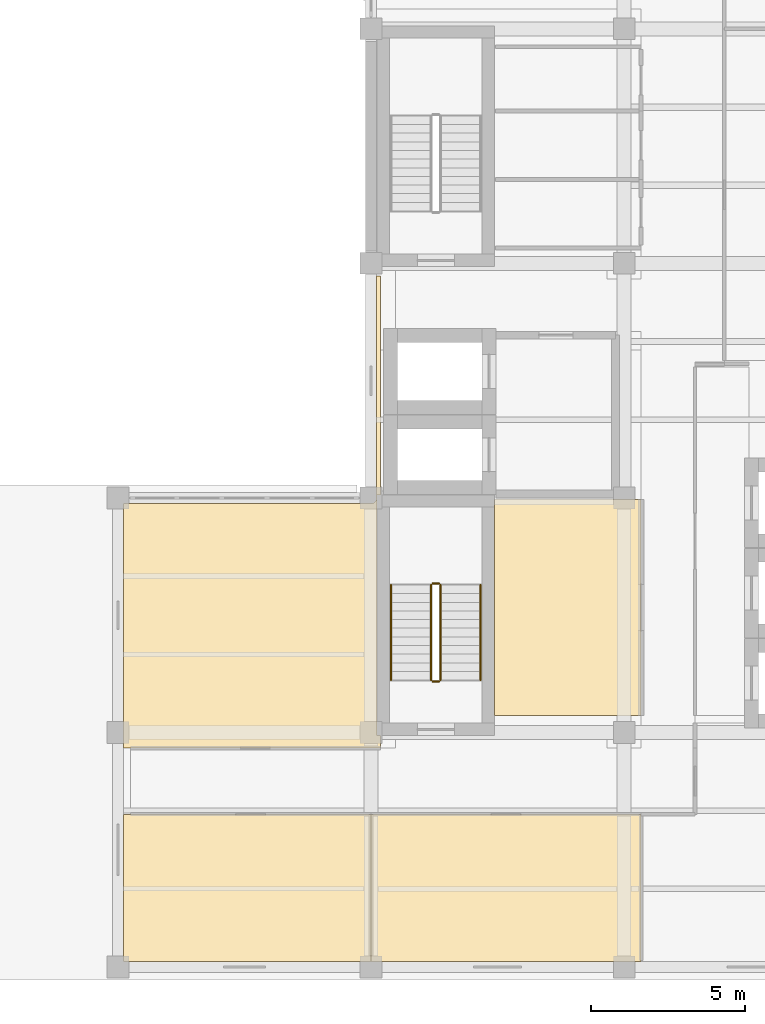
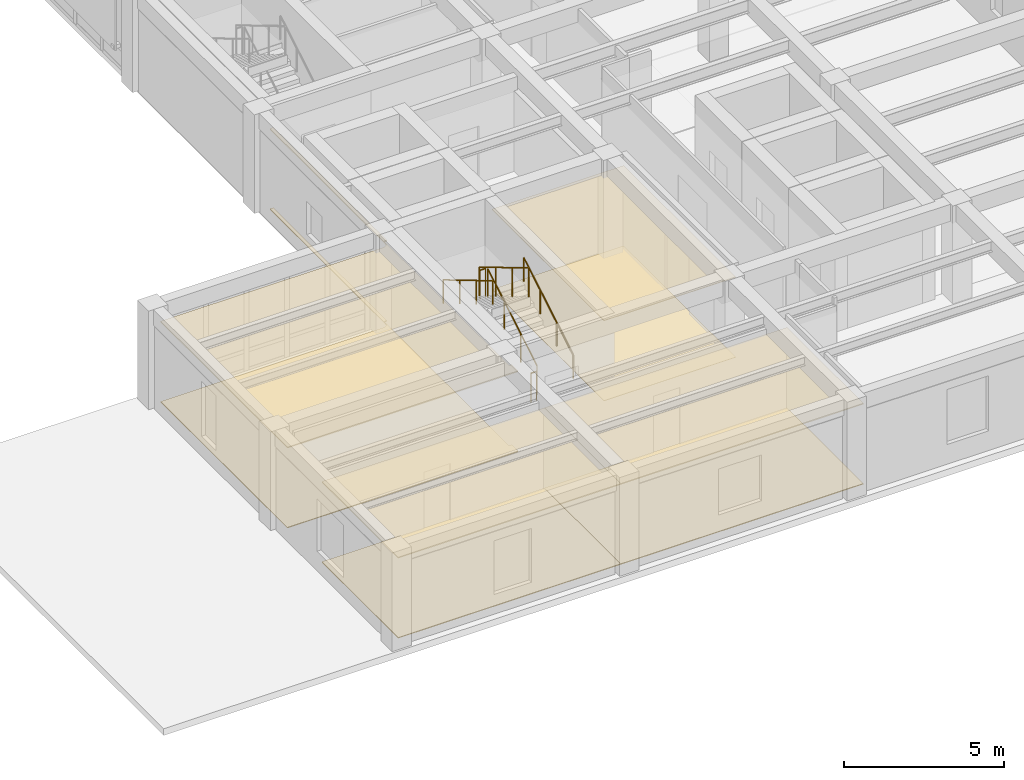
# One storey, part 9 of 11: 8 coverings, 6 railings.
"""IFC4 building model written with IfcOpenShell, lengths in metres."""

import ifcopenshell
import ifcopenshell.guid

model = None  # the IFC model being written
_history = None  # IfcOwnerHistory: only IFC2X3 demands one
_inside = {}  # id of a spatial element -> (the spatial element, [elements in it])
_under = {}  # id of a project, library or spatial element -> (it, [spatial elements below it])
_declared = {}  # id of a project -> (the project, [libraries it declares])
_typed = {}  # id of a type object -> (the type object, [elements of that type])
_made_of = {}  # id of a material, layer set ... -> (it, [elements and type objects made of it])


def new_model(schema):
    """Start an empty IFC model of exactly this schema.

    Asked for "IFC4X3", IfcOpenShell would pick the latest addendum, in which some entities
    have other attributes; the version numbers below select the first issue.
    IFC2X3 requires an IfcOwnerHistory on every rooted entity: one is made here for all.
    """
    global model, _history
    if schema == "IFC4X3":
        model = ifcopenshell.file(schema_version=(4, 3, 0, 0))
    else:
        model = ifcopenshell.file(schema=schema)
    _inside.clear()
    _under.clear()
    _declared.clear()
    _typed.clear()
    _made_of.clear()
    _history = None
    if model.schema == "IFC2X3":
        org = make("IfcOrganization", Name="unknown")
        user = make(
            "IfcPersonAndOrganization",
            ThePerson=make("IfcPerson", FamilyName="unknown"),
            TheOrganization=org,
        )
        app = make(
            "IfcApplication",
            ApplicationDeveloper=org,
            Version="unknown",
            ApplicationFullName="unknown",
            ApplicationIdentifier="unknown",
        )
        _history = make(
            "IfcOwnerHistory",
            OwningUser=user,
            OwningApplication=app,
            ChangeAction="ADDED",
            CreationDate=0,
        )
    return model


def make(cls, **values):
    """One entity of the class cls with the attributes given. An attribute that is None is left unset."""
    return model.create_entity(
        cls, **{name: value for name, value in values.items() if value is not None}
    )


def rooted(cls, **values):
    """An entity with a GlobalId (a new one), such as an element, a storey or a relation."""
    return make(cls, GlobalId=ifcopenshell.guid.new(), OwnerHistory=_history, **values)


def si_unit(unit_type, name, prefix=None):
    """IfcSIUnit, for example si_unit("LENGTHUNIT", "METRE", prefix="MILLI")."""
    return make("IfcSIUnit", UnitType=unit_type, Prefix=prefix, Name=name)


def assignment(units):
    """IfcUnitAssignment: the units of a project."""
    return None if units is None else make("IfcUnitAssignment", Units=units)


def point(xyz):
    """IfcCartesianPoint."""
    return None if xyz is None else make("IfcCartesianPoint", Coordinates=xyz)


def direction(xyz):
    """IfcDirection."""
    return None if xyz is None else make("IfcDirection", DirectionRatios=xyz)


def frame(location, z_axis=None, x_axis=None):
    """IfcAxis2Placement3D, a coordinate frame: its origin and axes. An axis left out is left unset."""
    return make(
        "IfcAxis2Placement3D",
        Location=point(location),
        Axis=direction(z_axis),
        RefDirection=direction(x_axis),
    )


def frame_2d(location, x_axis=None):
    """IfcAxis2Placement2D, a coordinate frame in the plane: its origin and x axis."""
    return make(
        "IfcAxis2Placement2D", Location=point(location), RefDirection=direction(x_axis)
    )


def origin():
    """The frame at (0, 0, 0) with its axes left unset."""
    return frame((0.0, 0.0, 0.0))


def origin_2d():
    """The frame at (0, 0) in the plane with its x axis left unset."""
    return frame_2d((0.0, 0.0))


def place(relative_to, where):
    """IfcLocalPlacement: puts the frame where relative to a parent placement (None: the world)."""
    return make(
        "IfcLocalPlacement", PlacementRelTo=relative_to, RelativePlacement=where
    )


def context(
    kind, dimensions, precision=None, world=None, true_north=None, identifier=None
):
    """IfcGeometricRepresentationContext, for example the 3D "Model" context."""
    return make(
        "IfcGeometricRepresentationContext",
        ContextIdentifier=identifier,
        ContextType=kind,
        CoordinateSpaceDimension=dimensions,
        Precision=precision,
        WorldCoordinateSystem=world,
        TrueNorth=true_north,
    )


def subcontext(parent, identifier, kind, view, scale=None):
    """IfcGeometricRepresentationSubContext, for example "Body" below "Model"."""
    return make(
        "IfcGeometricRepresentationSubContext",
        ContextIdentifier=identifier,
        ContextType=kind,
        ParentContext=parent,
        TargetScale=scale,
        TargetView=view,
    )


def project(units=None, contexts=None):
    """IfcProject with its units and contexts."""
    return rooted(
        "IfcProject",
        Name="project",
        RepresentationContexts=contexts,
        UnitsInContext=assignment(units),
    )


def spatial(cls, under=None, at=None, **own):
    """A site, building, storey or space (cls), placed at a placement, below another one or the project."""
    s = rooted(cls, ObjectPlacement=at, **own)
    if under is not None:
        _under.setdefault(under.id(), (under, []))[1].append(s)
    return s


def polyline(points):
    """IfcPolyline through the points."""
    return make("IfcPolyline", Points=[point(p) for p in points])


def profile(cls, at=None, kind="AREA", **sizes):
    """A parametric profile (cls). Its sizes go by their IFC names, for example OverallWidth=200.0."""
    return make(cls, ProfileType=kind, Position=at, **sizes)


def circle(**sizes):
    """IfcCircleProfileDef."""
    return profile("IfcCircleProfileDef", **sizes)


def outline(outer, holes=None, kind="AREA"):
    """IfcArbitraryClosedProfileDef: a profile drawn as a closed curve; with holes, ...WithVoids."""
    if holes is None:
        return make("IfcArbitraryClosedProfileDef", ProfileType=kind, OuterCurve=outer)
    return make(
        "IfcArbitraryProfileDefWithVoids",
        ProfileType=kind,
        OuterCurve=outer,
        InnerCurves=holes,
    )


def extrude(swept, where, along, depth):
    """IfcExtrudedAreaSolid: the profile swept, set in the frame where, extruded along a direction by depth."""
    return make(
        "IfcExtrudedAreaSolid",
        SweptArea=swept,
        Position=where,
        ExtrudedDirection=direction(along),
        Depth=depth,
    )


def shape(context_of_items, identifier, shape_type, items):
    """IfcShapeRepresentation: the items that make up one representation, for example the "Body"."""
    return make(
        "IfcShapeRepresentation",
        ContextOfItems=context_of_items,
        RepresentationIdentifier=identifier,
        RepresentationType=shape_type,
        Items=items,
    )


def material(Name=None, Category=None):
    """IfcMaterial."""
    return make("IfcMaterial", Name=Name, Category=Category)


def layer(
    of_material, thickness, ventilated=None, Name=None, Category=None, Priority=None
):
    """IfcMaterialLayer: one layer of a wall or slab, of a material (None: an air gap)."""
    return make(
        "IfcMaterialLayer",
        Material=of_material,
        LayerThickness=thickness,
        IsVentilated=ventilated,
        Name=Name,
        Category=Category,
        Priority=Priority,
    )


def layer_set(layers, Name=None):
    """IfcMaterialLayerSet."""
    return make("IfcMaterialLayerSet", MaterialLayers=layers, LayerSetName=Name)


def made_of(thing, what):
    """Note that an element or type object is made of a material, layer set ...; save() writes the relation."""
    if what is not None:
        _made_of.setdefault(what.id(), (what, []))[1].append(thing)
    return thing


def type_object(cls, material=None, **own):
    """A type object (cls), such as IfcWallType, which elements share."""
    return made_of(rooted(cls, **own), material)


def element(
    cls,
    number,
    at=None,
    inside=None,
    cuts=None,
    type_object=None,
    material=None,
    context=None,
    identifier="Body",
    shape_type=None,
    held_by="IfcProductDefinitionShape",
    body=None,
    shapes=None,
    **own,
):
    """One element of the class cls, such as IfcWall. Its Tag is "e" and its number.

    at: its placement. inside: the storey or other place that contains it. cuts: it is an
    opening in that element (IfcRelVoidsElement). A single representation is given by context,
    identifier, shape_type and body (its items); several are given by shapes. held_by: the class
    of the entity that holds the representations. save() writes the other relations.
    """
    e = rooted(cls, Tag="e%d" % number, ObjectPlacement=at, **own)
    if body is not None:
        shapes = [shape(context, identifier, shape_type, body)]
    if shapes is not None:
        e.Representation = make(held_by, Representations=shapes)
    if inside is not None:
        _inside.setdefault(inside.id(), (inside, []))[1].append(e)
    if cuts is not None:
        rooted(
            "IfcRelVoidsElement", RelatingBuildingElement=cuts, RelatedOpeningElement=e
        )
    if type_object is not None:
        _typed.setdefault(type_object.id(), (type_object, []))[1].append(e)
    return made_of(e, material)


def aggregate(whole, parts):
    """IfcRelAggregates: a whole, such as a stair, and the parts it consists of."""
    return rooted("IfcRelAggregates", RelatingObject=whole, RelatedObjects=parts)


def save(model, path):
    """Write the relations noted so far, then the file.

    IfcRelAggregates (storeys below a building ...), IfcRelContainedInSpatialStructure (elements
    in a storey), IfcRelDefinesByType, IfcRelAssociatesMaterial and IfcRelDeclares: one each for
    every whole, place, type object, material and project.
    """
    for whole, parts in _under.values():
        aggregate(whole, parts)
    for where, things in _inside.values():
        rooted(
            "IfcRelContainedInSpatialStructure",
            RelatedElements=things,
            RelatingStructure=where,
        )
    for kind, things in _typed.values():
        rooted("IfcRelDefinesByType", RelatedObjects=things, RelatingType=kind)
    for what, things in _made_of.values():
        rooted("IfcRelAssociatesMaterial", RelatedObjects=things, RelatingMaterial=what)
    for by, libraries in _declared.values():
        rooted("IfcRelDeclares", RelatingContext=by, RelatedDefinitions=libraries)
    model.write(path)


model = new_model("IFC4")

# Units and contexts
model_context = context("Model", 3, precision=1e-05, world=origin(), true_north=direction((0.0, 1.0)))
body_context = subcontext(model_context, "Body", "Model", "MODEL_VIEW")
ifc_project = project(units=[si_unit("LENGTHUNIT", "METRE"), si_unit("AREAUNIT", "SQUARE_METRE"), si_unit("VOLUMEUNIT", "CUBIC_METRE"), si_unit("PLANEANGLEUNIT", "RADIAN"), si_unit("MASSUNIT", "GRAM", prefix="KILO")], contexts=[model_context])

# Site, building, storey
site_placement = place(None, origin())
site = spatial("IfcSite", under=ifc_project, at=site_placement, CompositionType="ELEMENT")
building_placement = place(site_placement, origin())
building = spatial("IfcBuilding", under=site, at=building_placement, Name="Qandaris Square Conservatory and Botanical Centre", CompositionType="ELEMENT")
storey_placement = place(building_placement, frame((0.0, 0.0, 66.199951171875)))
storey = spatial("IfcBuildingStorey", under=building, at=storey_placement, Name="L15", CompositionType="ELEMENT", Elevation=66.199951171875)

# Coverings
ifc_material_1 = material(Name="Honed Qatari Limestone", Category="masonry")
ifc_layer_1 = layer(ifc_material_1, 0.030029296875)
ifc_layer_set_1 = layer_set([ifc_layer_1], Name="Honed Qatari Limestone")
covering_type_1 = type_object("IfcCoveringType", Name="Honed Qatari Limestone Concourse Paving", PredefinedType="FLOORING", material=ifc_layer_set_1)
covering_1_placement = place(storey_placement, origin())
element("IfcCovering", 1, at=covering_1_placement, inside=storey, type_object=covering_type_1, Name="Visiting Scholars Research Laboratory Flooring", PredefinedType="FLOORING", context=body_context, shape_type="SweptSolid", body=[
    extrude(outline(polyline([(131.179931640625, 16.780029296875), (131.179931640625, 21.550048828125), (131.39990234375, 21.550048828125), (139.199951171875, 21.550048828125), (139.199951171875, 16.780029296875), (131.179931640625, 16.780029296875)])), origin(), (0.0, 0.0, 1.0), 0.030029296875),
])
covering_2_placement = place(storey_placement, origin())
element("IfcCovering", 2, at=covering_2_placement, inside=storey, type_object=covering_type_1, Name="Editorial Botanical Press Suite Flooring", PredefinedType="FLOORING", context=body_context, shape_type="SweptSolid", body=[
    extrude(outline(polyline([(139.199951171875, 16.780029296875), (139.199951171875, 21.550048828125), (147.949951171875, 21.550048828125), (147.949951171875, 16.780029296875), (139.199951171875, 16.780029296875)])), origin(), (0.0, 0.0, 1.0), 0.030029296875),
])
covering_3_placement = place(storey_placement, origin())
element("IfcCovering", 3, at=covering_3_placement, inside=storey, type_object=covering_type_1, Name="Advisory Board Research Laboratory Flooring", PredefinedType="FLOORING", context=body_context, shape_type="SweptSolid", body=[
    extrude(outline(polyline([(139.235107421875, 31.62353515625), (139.252197265625, 31.627685546875), (139.268798828125, 31.6337890625), (139.284912109375, 31.641357421875), (139.300048828125, 31.650390625), (139.314208984375, 31.660888671875), (139.327392578125, 31.672607421875), (139.339111328125, 31.685791015625), (139.349609375, 31.699951171875), (139.358642578125, 31.715087890625), (139.3662109375, 31.731201171875), (139.372314453125, 31.747802734375), (139.37646484375, 31.764892578125), (139.379150390625, 31.782470703125), (139.3798828125, 31.800048828125), (139.3798828125, 39.0), (139.5, 39.0), (139.5, 31.89990234375), (139.39990234375, 31.89990234375), (139.39990234375, 24.10009765625), (139.5, 24.10009765625), (139.5, 23.699951171875), (131.39990234375, 23.699951171875), (131.179931640625, 23.699951171875), (131.179931640625, 31.6201171875), (139.199951171875, 31.6201171875), (139.217529296875, 31.620849609375), (139.235107421875, 31.62353515625)])), origin(), (0.0, 0.0, 1.0), 0.030029296875),
])
ifc_material_2 = material(Name="Gypsum Plasterboard", Category="gypsum")
ifc_layer_2 = layer(ifc_material_2, 0.02490234375)
ifc_layer_set_2 = layer_set([ifc_layer_2], Name="Gypsum Plasterboard")
covering_type_2 = type_object("IfcCoveringType", Name="Perforated Acoustic Lab Ceiling Tile", PredefinedType="CEILING", material=ifc_layer_set_2)
covering_4_placement = place(storey_placement, frame((0.0, 0.0, 3.050048828125)))
element("IfcCovering", 4, at=covering_4_placement, inside=storey, type_object=covering_type_2, Name="Electrical and Telecom Riser Room L15 Ceiling", PredefinedType="CEILING", context=body_context, shape_type="SweptSolid", body=[
    extrude(outline(polyline([(147.949951171875, 31.75), (147.949951171875, 24.75), (143.199951171875, 24.75), (143.199951171875, 31.75), (147.949951171875, 31.75)])), origin(), (0.0, 0.0, 1.0), 0.02490234375),
])
ifc_material_3 = material(Name="Epoxy Resin Screed", Category="finish")
ifc_layer_3 = layer(ifc_material_3, 0.014892578125)
ifc_layer_set_3 = layer_set([ifc_layer_3], Name="Epoxy Resin Screed")
covering_type_3 = type_object("IfcCoveringType", Name="Seamless Epoxy Laboratory Flooring", PredefinedType="FLOORING", material=ifc_layer_set_3)
covering_5_placement = place(storey_placement, origin())
element("IfcCovering", 5, at=covering_5_placement, inside=storey, type_object=covering_type_3, Name="Electrical and Telecom Riser Room L15 Flooring", PredefinedType="FLOORING", context=body_context, shape_type="SweptSolid", body=[
    extrude(outline(polyline([(147.949951171875, 31.75), (147.949951171875, 24.75), (143.199951171875, 24.75), (143.199951171875, 31.75), (147.949951171875, 31.75)])), origin(), (0.0, 0.0, 1.0), 0.01513671875),
])
ifc_material_4 = material(Name="Engineered Oak Timber", Category="wood")
ifc_layer_4 = layer(ifc_material_4, 0.0400390625)
ifc_layer_set_4 = layer_set([ifc_layer_4], Name="Engineered Oak Timber")
covering_type_4 = type_object("IfcCoveringType", Name="Slatted Oak Acoustic Gallery Ceiling", PredefinedType="CEILING", material=ifc_layer_set_4)
covering_6_placement = place(storey_placement, frame((0.0, 0.0, 3.050048828125)))
element("IfcCovering", 6, at=covering_6_placement, inside=storey, type_object=covering_type_4, Name="Visiting Scholars Research Laboratory Ceiling", PredefinedType="CEILING", context=body_context, shape_type="SweptSolid", body=[
    extrude(outline(polyline([(131.179931640625, 16.780029296875), (131.179931640625, 21.550048828125), (131.39990234375, 21.550048828125), (139.199951171875, 21.550048828125), (139.199951171875, 16.780029296875), (131.179931640625, 16.780029296875)])), origin(), (0.0, 0.0, 1.0), 0.0400390625),
])
covering_7_placement = place(storey_placement, frame((0.0, 0.0, 3.050048828125)))
element("IfcCovering", 7, at=covering_7_placement, inside=storey, type_object=covering_type_4, Name="Editorial Botanical Press Suite Ceiling", PredefinedType="CEILING", context=body_context, shape_type="SweptSolid", body=[
    extrude(outline(polyline([(139.199951171875, 16.780029296875), (139.199951171875, 21.550048828125), (147.949951171875, 21.550048828125), (147.949951171875, 16.780029296875), (139.199951171875, 16.780029296875)])), origin(), (0.0, 0.0, 1.0), 0.0400390625),
])
covering_8_placement = place(storey_placement, frame((0.0, 0.0, 3.050048828125)))
element("IfcCovering", 8, at=covering_8_placement, inside=storey, type_object=covering_type_4, Name="Advisory Board Research Laboratory Ceiling", PredefinedType="CEILING", context=body_context, shape_type="SweptSolid", body=[
    extrude(outline(polyline([(139.235107421875, 31.62353515625), (139.252197265625, 31.627685546875), (139.268798828125, 31.6337890625), (139.284912109375, 31.641357421875), (139.300048828125, 31.650390625), (139.314208984375, 31.660888671875), (139.327392578125, 31.672607421875), (139.339111328125, 31.685791015625), (139.349609375, 31.699951171875), (139.358642578125, 31.715087890625), (139.3662109375, 31.731201171875), (139.372314453125, 31.747802734375), (139.37646484375, 31.764892578125), (139.379150390625, 31.782470703125), (139.3798828125, 31.800048828125), (139.3798828125, 39.0), (139.5, 39.0), (139.5, 31.89990234375), (139.39990234375, 31.89990234375), (139.39990234375, 24.10009765625), (139.5, 24.10009765625), (139.5, 23.699951171875), (131.39990234375, 23.699951171875), (131.179931640625, 23.699951171875), (131.179931640625, 31.6201171875), (139.199951171875, 31.6201171875), (139.217529296875, 31.620849609375), (139.235107421875, 31.62353515625)])), origin(), (0.0, 0.0, 1.0), 0.0400390625),
])

# Railings
ifc_material_5 = material(Name="Stainless Steel", Category="steel")
railing_type_1 = type_object("IfcRailingType", Name="Stair Tubular Handrail 920mm", PredefinedType="HANDRAIL", material=ifc_material_5)
railing_1_placement = place(storey_placement, frame((142.75, 25.89990234375, 0.33349609375)))
element("IfcRailing", 9, at=railing_1_placement, inside=storey, type_object=railing_type_1, Name="L15 ST-1 stair handrail 1", PredefinedType="HANDRAIL", context=body_context, shape_type="SweptSolid", body=[
    extrude(circle(Radius=0.02392578125, at=origin_2d()), frame((0.0, 0.0, 0.89599609375), z_axis=(0.0, 0.859308565015, 0.511457515432), x_axis=(-1.0, 0.0, 0.0)), (0.0, 0.0, 1.0), 3.58447265625),
    extrude(circle(Radius=0.02099609375, at=origin_2d()), origin(), (0.0, 0.0, 1.0), 0.871826171875),
    extrude(circle(Radius=0.02099609375, at=origin_2d()), frame((0.0, 1.026611328125, 0.611083984375)), (0.0, 0.0, 1.0), 0.871826171875),
    extrude(circle(Radius=0.02099609375, at=origin_2d()), frame((0.0, 2.053466796875, 1.22216796875)), (0.0, 0.0, 1.0), 0.871826171875),
    extrude(circle(Radius=0.02099609375, at=origin_2d()), frame((0.0, 3.080078125, 1.833251953125)), (0.0, 0.0, 1.0), 0.871826171875),
])
railing_2_placement = place(storey_placement, frame((139.85009765625, 28.97998046875, 2.33349609375)))
element("IfcRailing", 10, at=railing_2_placement, inside=storey, type_object=railing_type_1, Name="L15 ST-1 stair handrail 2", PredefinedType="HANDRAIL", context=body_context, shape_type="SweptSolid", body=[
    extrude(circle(Radius=0.02392578125, at=origin_2d()), frame((0.0, 0.0, 0.89599609375), z_axis=(0.0, -0.859308565015, 0.511457515432), x_axis=(1.0, 0.0, 0.0)), (0.0, 0.0, 1.0), 3.58447265625),
    extrude(circle(Radius=0.02099609375, at=origin_2d()), origin(), (0.0, 0.0, 1.0), 0.871826171875),
    extrude(circle(Radius=0.02099609375, at=origin_2d()), frame((0.0, -1.026611328125, 0.611083984375)), (0.0, 0.0, 1.0), 0.871826171875),
    extrude(circle(Radius=0.02099609375, at=origin_2d()), frame((0.0, -2.053466796875, 1.22216796875)), (0.0, 0.0, 1.0), 0.871826171875),
    extrude(circle(Radius=0.02099609375, at=origin_2d()), frame((0.0, -3.080078125, 1.833251953125)), (0.0, 0.0, 1.0), 0.871826171875),
])
railing_type_2 = type_object("IfcRailingType", Name="Stairwell & Atrium Guardrail 1120mm", PredefinedType="GUARDRAIL", material=ifc_material_5)
railing_3_placement = place(storey_placement, frame((141.449951171875, 25.89990234375, 0.166748046875)))
element("IfcRailing", 11, at=railing_3_placement, inside=storey, type_object=railing_type_2, Name="L15 ST-1 stair guard 1", PredefinedType="GUARDRAIL", context=body_context, shape_type="SweptSolid", body=[
    extrude(circle(Radius=0.02392578125, at=origin_2d()), frame((0.0, 0.0, 1.09619140625), z_axis=(0.0, 0.859308565015, 0.511457515432), x_axis=(-1.0, 0.0, 0.0)), (0.0, 0.0, 1.0), 3.58447265625),
    extrude(circle(Radius=0.02099609375, at=origin_2d()), origin(), (0.0, 0.0, 1.0), 1.072021484375),
    extrude(circle(Radius=0.02099609375, at=origin_2d()), frame((0.0, 1.026611328125, 0.611083984375)), (0.0, 0.0, 1.0), 1.072021484375),
    extrude(circle(Radius=0.02099609375, at=origin_2d()), frame((0.0, 2.053466796875, 1.22216796875)), (0.0, 0.0, 1.0), 1.072021484375),
    extrude(circle(Radius=0.02099609375, at=origin_2d()), frame((0.0, 3.080078125, 1.833251953125)), (0.0, 0.0, 1.0), 1.072021484375),
])
railing_4_placement = place(storey_placement, frame((141.39990234375, 29.030029296875, 2.0)))
element("IfcRailing", 12, at=railing_4_placement, inside=storey, type_object=railing_type_2, Name="L15 ST-1 stair guard 2", PredefinedType="GUARDRAIL", context=body_context, shape_type="SweptSolid", body=[
    extrude(circle(Radius=0.02392578125, at=origin_2d()), frame((0.0, 0.0, 1.09619140625), z_axis=(-1.0, 0.0, 0.0), x_axis=(0.0, -1.0, 0.0)), (0.0, 0.0, 1.0), 0.199951171875),
    extrude(circle(Radius=0.02099609375, at=origin_2d()), origin(), (0.0, 0.0, 1.0), 1.072021484375),
    extrude(circle(Radius=0.02099609375, at=origin_2d()), frame((-0.199951171875, 0.0, 0.0)), (0.0, 0.0, 1.0), 1.072021484375),
])
railing_5_placement = place(storey_placement, frame((141.14990234375, 28.97998046875, 2.166748046875)))
element("IfcRailing", 13, at=railing_5_placement, inside=storey, type_object=railing_type_2, Name="L15 ST-1 stair guard 3", PredefinedType="GUARDRAIL", context=body_context, shape_type="SweptSolid", body=[
    extrude(circle(Radius=0.02392578125, at=origin_2d()), frame((0.0, 0.0, 1.09619140625), z_axis=(0.0, -0.859308565015, 0.511457515432), x_axis=(1.0, 0.0, 0.0)), (0.0, 0.0, 1.0), 3.58447265625),
    extrude(circle(Radius=0.02099609375, at=origin_2d()), origin(), (0.0, 0.0, 1.0), 1.072021484375),
    extrude(circle(Radius=0.02099609375, at=origin_2d()), frame((0.0, -1.026611328125, 0.611083984375)), (0.0, 0.0, 1.0), 1.072021484375),
    extrude(circle(Radius=0.02099609375, at=origin_2d()), frame((0.0, -2.053466796875, 1.22216796875)), (0.0, 0.0, 1.0), 1.072021484375),
    extrude(circle(Radius=0.02099609375, at=origin_2d()), frame((0.0, -3.080078125, 1.833251953125)), (0.0, 0.0, 1.0), 1.072021484375),
])
railing_6_placement = place(storey_placement, frame((141.39990234375, 25.85009765625, 0.0)))
element("IfcRailing", 14, at=railing_6_placement, inside=storey, type_object=railing_type_2, Name="L15 ST-1 stair guard 4", PredefinedType="GUARDRAIL", context=body_context, shape_type="SweptSolid", body=[
    extrude(circle(Radius=0.02392578125, at=origin_2d()), frame((0.0, 0.0, 1.09619140625), z_axis=(-1.0, 0.0, 0.0), x_axis=(0.0, -1.0, 0.0)), (0.0, 0.0, 1.0), 0.199951171875),
    extrude(circle(Radius=0.02099609375, at=origin_2d()), origin(), (0.0, 0.0, 1.0), 1.072021484375),
    extrude(circle(Radius=0.02099609375, at=origin_2d()), frame((-0.199951171875, 0.0, 0.0)), (0.0, 0.0, 1.0), 1.072021484375),
])

save(model, "model.ifc")
